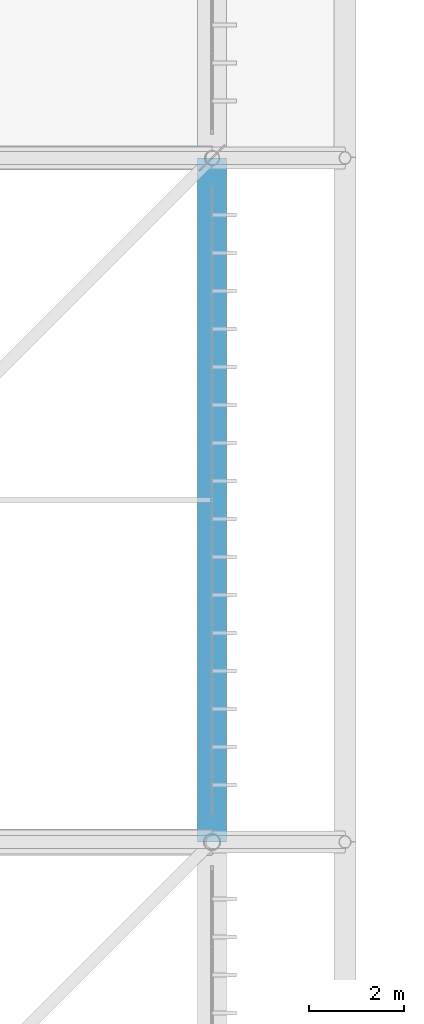
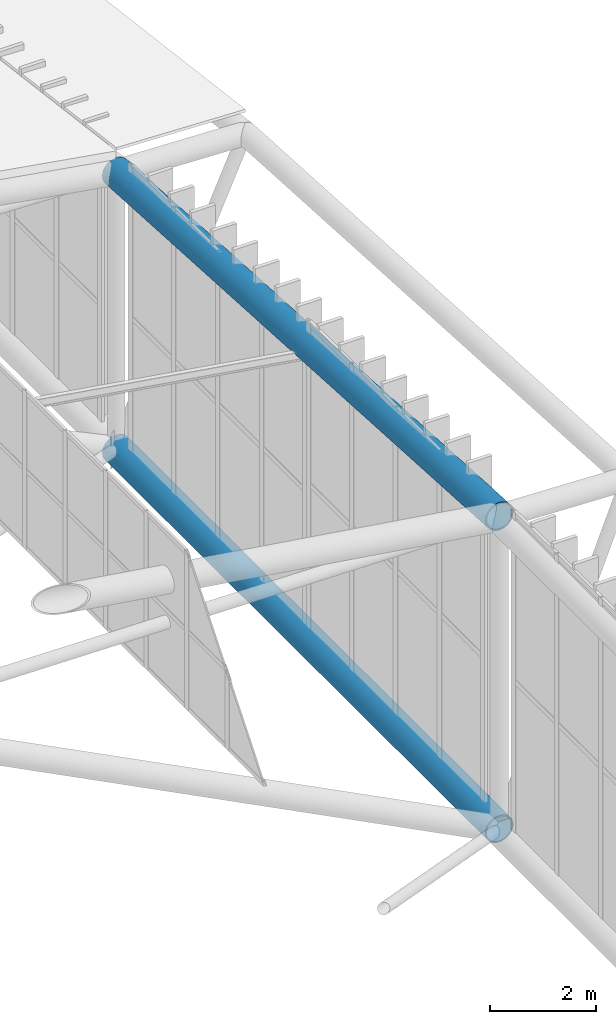
# One storey, part 283 of 397: 2 beams.
"""IFC4 building model written with IfcOpenShell, lengths in metres."""

from ifc_helpers import new_model, si_unit, direction, frame, origin, origin_2d, place, context, subcontext, project, spatial, hollow_circle, extrude, material, material_profile, profile_set, type_object, element, save


model = new_model("IFC4")

# Units and contexts
model_context = context("Model", 3, precision=1e-05, world=origin(), true_north=direction((0.0, 1.0)))
body_context = subcontext(model_context, "Body", "Model", "MODEL_VIEW")
ifc_project = project(units=[si_unit("LENGTHUNIT", "METRE"), si_unit("AREAUNIT", "SQUARE_METRE"), si_unit("VOLUMEUNIT", "CUBIC_METRE"), si_unit("PLANEANGLEUNIT", "RADIAN"), si_unit("MASSUNIT", "GRAM", prefix="KILO")], contexts=[model_context])

# Site, building, storey
site_placement = place(None, origin())
site = spatial("IfcSite", under=ifc_project, at=site_placement, CompositionType="ELEMENT")
building_placement = place(site_placement, origin())
building = spatial("IfcBuilding", under=site, at=building_placement, Name="Qandorah Velis Arena", CompositionType="ELEMENT")
storey_placement = place(building_placement, frame((0.0, 0.0, 27.5)))
storey = spatial("IfcBuildingStorey", under=building, at=storey_placement, Name="RF", CompositionType="ELEMENT", Elevation=27.5)

# Beams
ifc_material = material(Name="Steel S460", Category="steel")
ifc_material_profile_1 = material_profile(ifc_material, hollow_circle(Radius=0.304931640625, WallThickness=0.02490234375, at=origin_2d()), Name="CHS 610x25")
ifc_profile_set_1 = profile_set([ifc_material_profile_1], Name="Steel S460")
beam_type_1 = type_object("IfcBeamType", Name="STR-SFC-CHS610X25", PredefinedType="USERDEFINED", material=ifc_profile_set_1)
beam_1_placement = place(storey_placement, frame((115.199951171875, 72.0, 0.10009765625), z_axis=(0.0, 1.0, 0.0), x_axis=(-1.0, 0.0, 0.0)))
element("IfcBeam", 1, at=beam_1_placement, inside=storey, type_object=beam_type_1, Name="Space frame roof truss bottom chord Y 7.4", ObjectType="ROOF TRUSS", PredefinedType="USERDEFINED", context=body_context, shape_type="SweptSolid", body=[
    extrude(hollow_circle(Radius=0.304931640625, WallThickness=0.02490234375, at=origin_2d()), origin(), (0.0, 0.0, 1.0), 14.39990234375),
])
ifc_material_profile_2 = material_profile(ifc_material, hollow_circle(Radius=0.304931640625, WallThickness=0.031982421875, at=origin_2d()), Name="CHS 610x32")
ifc_profile_set_2 = profile_set([ifc_material_profile_2], Name="Steel S460")
beam_type_2 = type_object("IfcBeamType", Name="STR-SFC-CHS610X32", PredefinedType="USERDEFINED", material=ifc_profile_set_2)
beam_2_placement = place(storey_placement, frame((115.199951171875, 72.0, 7.2705078125), z_axis=(0.0, 0.998374610702, -0.056992426744), x_axis=(-1.0, 0.0, 0.0)))
element("IfcBeam", 2, at=beam_2_placement, inside=storey, type_object=beam_type_2, Name="Space frame roof truss top chord Y 7.4", ObjectType="ROOF TRUSS", PredefinedType="USERDEFINED", context=body_context, shape_type="SweptSolid", body=[
    extrude(hollow_circle(Radius=0.304931640625, WallThickness=0.031982421875, at=origin_2d()), origin(), (0.0, 0.0, 1.0), 14.42333984375),
])

save(model, "model.ifc")
